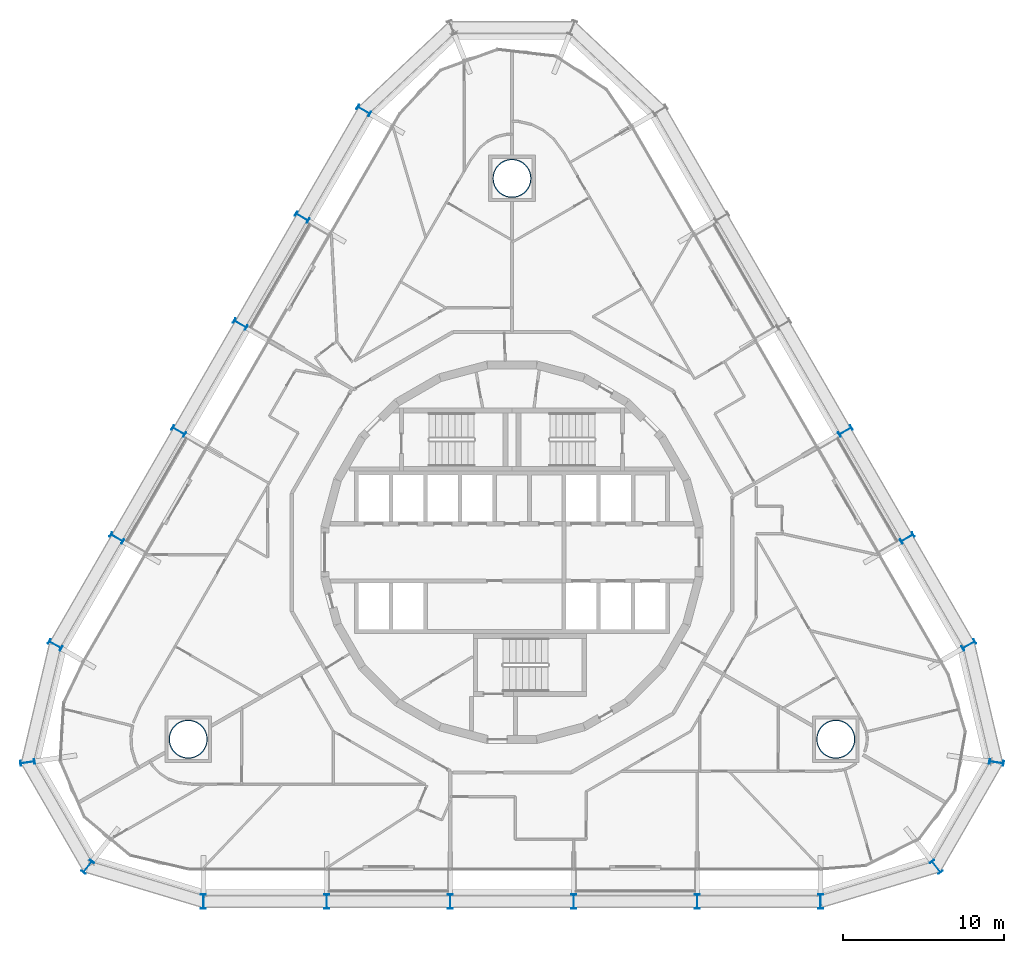
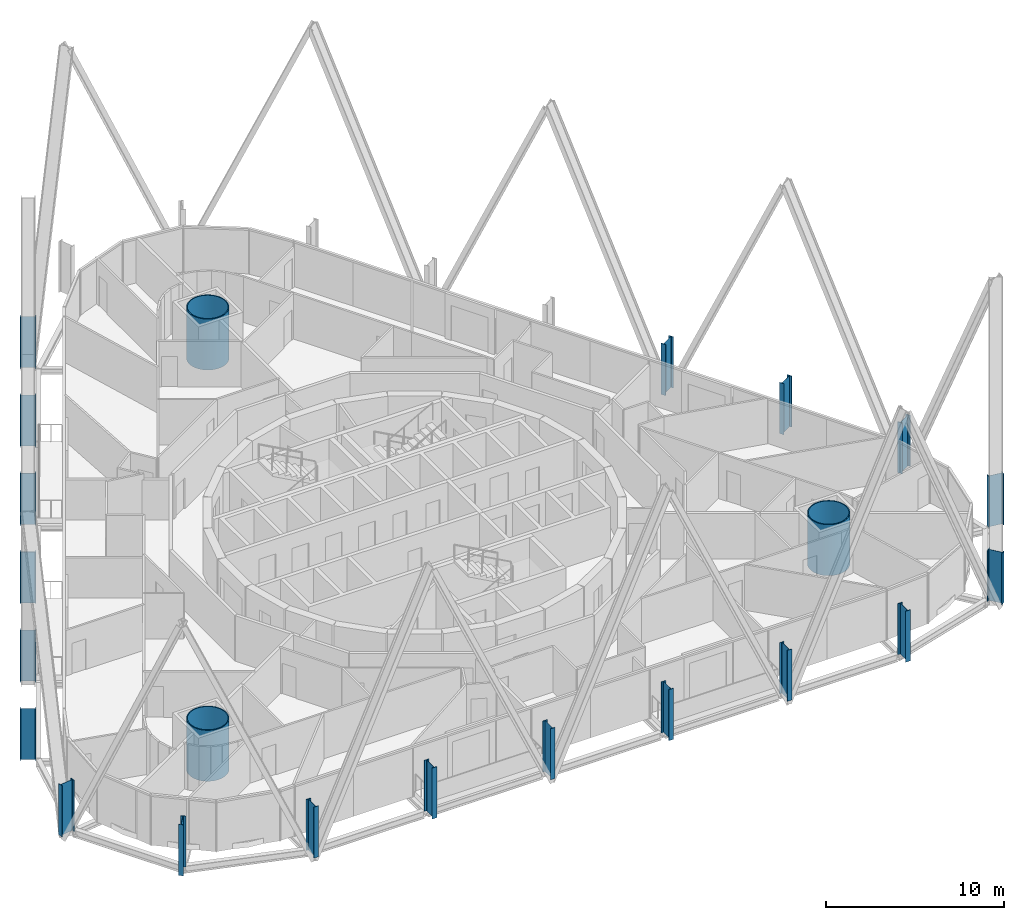
# One storey, part 1 of 22: 22 columns.
"""IFC4 building model written with IfcOpenShell, lengths in metres."""

from ifc_helpers import new_model, si_unit, direction, frame, origin, origin_2d, place, context, subcontext, project, spatial, hollow_circle, i_section, extrude, material, material_profile, profile_set, type_object, element, save


model = new_model("IFC4")

# Units and contexts
model_context = context("Model", 3, precision=1e-05, world=origin(), true_north=direction((0.0, 1.0)))
body_context = subcontext(model_context, "Body", "Model", "MODEL_VIEW")
ifc_project = project(units=[si_unit("LENGTHUNIT", "METRE"), si_unit("AREAUNIT", "SQUARE_METRE"), si_unit("VOLUMEUNIT", "CUBIC_METRE"), si_unit("PLANEANGLEUNIT", "RADIAN"), si_unit("MASSUNIT", "GRAM", prefix="KILO")], contexts=[model_context])

# Site, building, storey
site_placement = place(None, origin())
site = spatial("IfcSite", under=ifc_project, at=site_placement, CompositionType="ELEMENT")
building_placement = place(site_placement, origin())
building = spatial("IfcBuilding", under=site, at=building_placement, Name="Spindle Arch Residences", CompositionType="ELEMENT")
storey_placement = place(building_placement, frame((0.0, 0.0, 52.39990234375)))
storey = spatial("IfcBuildingStorey", under=building, at=storey_placement, Name="L11", CompositionType="ELEMENT", Elevation=52.39990234375)

# Columns
ifc_material_1 = material(Name="Steel S460ML, intumescent coating R 240", Category="steel")
ifc_material_profile_1 = material_profile(ifc_material_1, i_section(OverallWidth=0.300048828125, OverallDepth=0.89990234375, WebThickness=0.0185546875, FlangeThickness=0.034912109375, FilletRadius=0.030029296875, at=origin_2d()), Name="HEB 900")
ifc_profile_set_1 = profile_set([ifc_material_profile_1], Name="Steel S460ML, intumescent coating R 240")
column_type_1 = type_object("IfcColumnType", Name="Exoskeleton post HEB 900", PredefinedType="COLUMN", material=ifc_profile_set_1)
for number, where, z_axis, x_axis, name in (
    (1, (3.840087890625, -21.72998046875, -0.3798828125), (0.0, 0.0, 1.0), (-1.0, 0.0, 0.0), "Exoskeleton post 1"),
    (2, (11.52001953125, -21.72998046875, -0.3798828125), (0.0, 0.0, 1.0), (-1.0, 0.0, 0.0), "Exoskeleton post 2"),
    (3, (19.2001953125, -21.72998046875, -0.3798828125), (0.0, 0.0, 1.0), (-1.0, 0.0, 0.0), "Exoskeleton post 3"),
    (4, (26.3916015625, -19.565185546875, -0.3798828125), (0.0, 0.0, 1.0), (-0.7856835335, -0.618628632693, 0.0), "Exoskeleton post 4"),
    (5, (30.139892578125, -13.0732421875, -0.3798828125), (0.0, 0.0, 1.0), (-0.142906037553, -0.989736260036, 0.0), "Exoskeleton post 5"),
    (6, (28.418701171875, -5.762939453125, -0.3798828125), (0.0, 0.0, 1.0), (0.50000017485, -0.866025302835, 0.0), "Exoskeleton post 6"),
    (7, (24.57861328125, 0.88818359375, -0.3798828125), (0.0, 0.0, 1.0), (0.50000017485, -0.866025302835, 0.0), "Exoskeleton post 7"),
    (8, (20.73876953125, 7.539306640625, -0.3798828125), (0.0, 0.0, 1.0), (0.50000017485, -0.866025302835, 0.0), "Exoskeleton post 8"),
    (9, (-9.218505859375, 27.492919921875, -0.3798828125), (0.0, 0.0, 1.0), (0.50000017485, 0.866025302835, 0.0), "Exoskeleton post 14"),
    (10, (-13.05859375, 20.841796875, -0.3798828125), (0.0, 0.0, 1.0), (0.50000017485, 0.866025302835, 0.0), "Exoskeleton post 15"),
    (11, (-16.898681640625, 14.1904296875, -0.3798828125), (0.0, 0.0, 1.0), (0.50000017485, 0.866025302835, 0.0), "Exoskeleton post 16"),
    (12, (-20.73876953125, 7.539306640625, -0.3798828125), (0.0, 0.0, 1.0), (0.50000017485, 0.866025302835, 0.0), "Exoskeleton post 17"),
    (13, (-24.57861328125, 0.88818359375, -0.3798828125), (0.0, 0.0, 1.0), (0.50000017485, 0.866025302835, 0.0), "Exoskeleton post 18"),
    (14, (-28.418701171875, -5.762939453125, -0.3798828125), (0.0, 0.0, 1.0), (0.50000017485, 0.866025302835, 0.0), "Exoskeleton post 19"),
    (15, (-30.139892578125, -13.0732421875, -0.3798828125), (0.0, 0.0, 1.0), (-0.142906037553, 0.989736260036, 0.0), "Exoskeleton post 20"),
    (16, (-26.3916015625, -19.565185546875, -0.3798828125), (0.0, 0.0, 1.0), (-0.7856835335, 0.618628632693, 0.0), "Exoskeleton post 21"),
    (17, (-19.2001953125, -21.72998046875, -0.3798828125), (0.0, 0.0, 1.0), (-1.0, 0.0, 0.0), "Exoskeleton post 22"),
    (18, (-11.52001953125, -21.72998046875, -0.3798828125), (0.0, 0.0, 1.0), (-1.0, 0.0, 0.0), "Exoskeleton post 23"),
    (19, (-3.840087890625, -21.72998046875, -0.3798828125), (0.0, 0.0, 1.0), (-1.0, 0.0, 0.0), "Exoskeleton post 24"),
):
    element("IfcColumn", number, at=place(storey_placement, frame(where, z_axis=z_axis, x_axis=x_axis)), inside=storey, type_object=column_type_1, Name=name, PredefinedType="COLUMN", context=body_context, shape_type="SweptSolid", body=[
        extrude(i_section(OverallWidth=0.300048828125, OverallDepth=0.89990234375, WebThickness=0.0185546875, FlangeThickness=0.034912109375, FilletRadius=0.030029296875, at=origin_2d()), origin(), (0.0, 0.0, 1.0), 3.5),
    ])
ifc_material_2 = material(Name="Concrete C50/60 filled steel tube S460ML, intumescent coating R 240", Category="concrete")
ifc_material_profile_2 = material_profile(ifc_material_2, hollow_circle(Radius=1.199951171875, WallThickness=0.06005859375, at=origin_2d()), Name="CFT D2400x60")
ifc_profile_set_2 = profile_set([ifc_material_profile_2], Name="Concrete C50/60 filled steel tube S460ML, intumescent coating R 240")
column_type_2 = type_object("IfcColumnType", Name="Mega-column CFT D2400x60", PredefinedType="COLUMN", material=ifc_profile_set_2)
for number, where, z_axis, x_axis, name in (
    (20, (20.1435546875, -11.6298828125, -0.3798828125), (0.0, 0.0, 1.0), (1.0, 0.0, 0.0), "Mega-column 1"),
    (21, (0.0, 23.259765625, -0.3798828125), (0.0, 0.0, 1.0), (1.0, 0.0, 0.0), "Mega-column 2"),
    (22, (-20.1435546875, -11.6298828125, -0.3798828125), (0.0, 0.0, 1.0), (1.0, 0.0, 0.0), "Mega-column 3"),
):
    element("IfcColumn", number, at=place(storey_placement, frame(where, z_axis=z_axis, x_axis=x_axis)), inside=storey, type_object=column_type_2, Name=name, PredefinedType="COLUMN", context=body_context, shape_type="SweptSolid", body=[
        extrude(hollow_circle(Radius=1.199951171875, WallThickness=0.06005859375, at=origin_2d()), origin(), (0.0, 0.0, 1.0), 3.5),
    ])

save(model, "model.ifc")
